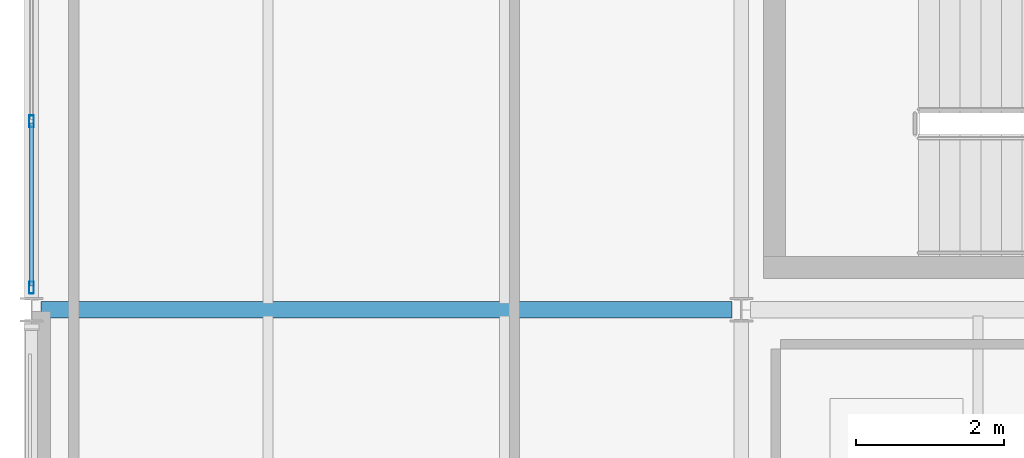
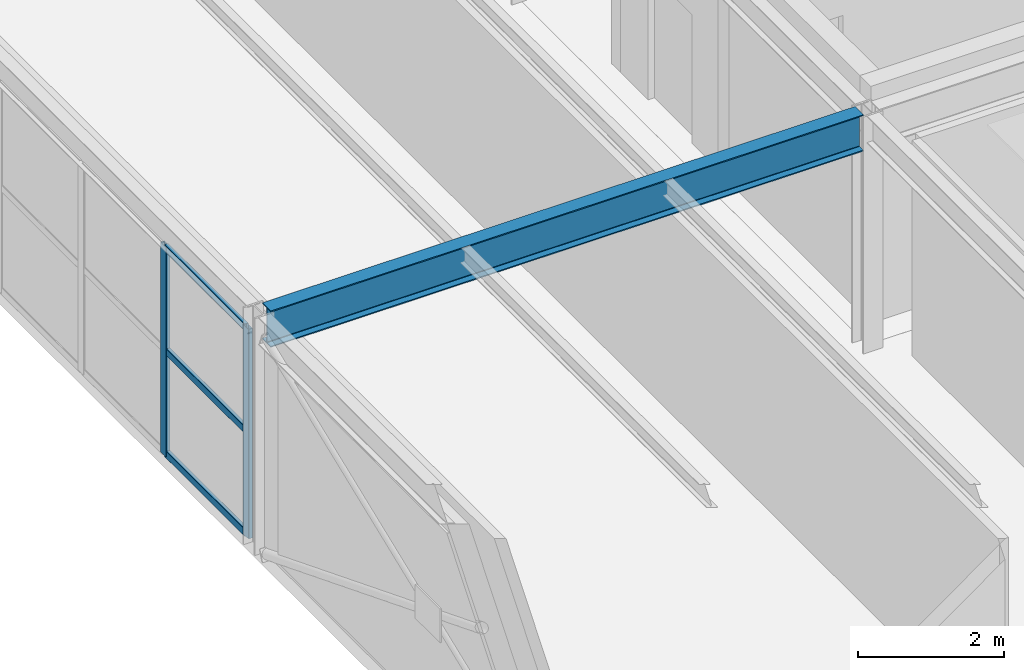
# One storey, part 14 of 50: 5 members, 1 beam, 1 element without a shape of its own.
"""IFC4 building model written with IfcOpenShell, lengths in metres."""

from ifc_helpers import new_model, si_unit, direction, frame, origin, origin_2d, place, context, subcontext, project, spatial, hollow_rectangle, i_section, extrude, material, material_profile, profile_set, type_object, element, aggregate, save


model = new_model("IFC4")

# Units and contexts
model_context = context("Model", 3, precision=1e-05, world=origin(), true_north=direction((0.0, 1.0)))
body_context = subcontext(model_context, "Body", "Model", "MODEL_VIEW")
ifc_project = project(units=[si_unit("LENGTHUNIT", "METRE"), si_unit("AREAUNIT", "SQUARE_METRE"), si_unit("VOLUMEUNIT", "CUBIC_METRE"), si_unit("PLANEANGLEUNIT", "RADIAN"), si_unit("MASSUNIT", "GRAM", prefix="KILO")], contexts=[model_context])

# Site, building, storey
site_placement = place(None, origin())
site = spatial("IfcSite", under=ifc_project, at=site_placement, CompositionType="ELEMENT")
building_placement = place(site_placement, origin())
building = spatial("IfcBuilding", under=site, at=building_placement, Name="Coralgate Yard Interchange", CompositionType="ELEMENT")
storey_placement = place(building_placement, frame((0.0, 0.0, 14.699951171875)))
storey = spatial("IfcBuildingStorey", under=building, at=storey_placement, Name="L03", CompositionType="ELEMENT", Elevation=14.699951171875)

# Beam
ifc_material_1 = material(Name="Structural steel S355J2", Category="steel")
ifc_material_profile_1 = material_profile(ifc_material_1, i_section(OverallWidth=0.228271484375, OverallDepth=0.607666015625, WebThickness=0.010986328125, FlangeThickness=0.017333984375, FilletRadius=0.0126953125, at=origin_2d()), Name="UB 610x229x113")
ifc_profile_set_1 = profile_set([ifc_material_profile_1], Name="Structural steel S355J2")
beam_type = type_object("IfcBeamType", Name="BM-SG-5", PredefinedType="BEAM", material=ifc_profile_set_1)
beam_placement = place(storey_placement, frame((0.12548828125, 28.800048828125, 3.646240234375), z_axis=(1.0, 0.0, 0.0), x_axis=(0.0, 1.0, 0.0)))
element("IfcBeam", 1, at=beam_placement, inside=storey, type_object=beam_type, Name="L03 primary grid beam Y3 X0-1", PredefinedType="BEAM", context=body_context, shape_type="SweptSolid", body=[
    extrude(i_section(OverallWidth=0.228271484375, OverallDepth=0.607666015625, WebThickness=0.010986328125, FlangeThickness=0.017333984375, FilletRadius=0.0126953125, at=origin_2d()), origin(), (0.0, 0.0, 1.0), 9.348876953125),
])

# Curtain wall, members
ifc_material_2 = material(Name="Anodised coastal aluminium and solar-control low-E glass", Category="aluminium")
curtain_wall_type = type_object("IfcCurtainWallType", Name="CW-CW-L03-A", PredefinedType="NOTDEFINED", material=ifc_material_2)
curtain_wall_placement = place(storey_placement, origin())
curtain_wall = element("IfcCurtainWall", 2, at=curtain_wall_placement, inside=storey, type_object=curtain_wall_type, Name="L03 unitised curtain wall CW-L03-W-00-03", PredefinedType="NOTDEFINED")
ifc_material_3 = material(Name="Anodised coastal aluminium 6063-T6", Category="aluminium")
ifc_material_profile_2 = material_profile(ifc_material_3, hollow_rectangle(XDim=0.06494140625, YDim=0.159912109375, WallThickness=0.00390625, InnerFilletRadius=0.00390625, OuterFilletRadius=0.008056640625, at=origin_2d()), Name="ALU 65x160x4")
ifc_profile_set_2 = profile_set([ifc_material_profile_2], Name="Anodised coastal aluminium 6063-T6")
member_type_1 = type_object("IfcMemberType", Name="MB-MUL-160", PredefinedType="MULLION", material=ifc_profile_set_2)
member_1_placement = place(storey_placement, frame((0.0, 29.10009765625, 0.0), z_axis=(0.0, 0.0, 1.0), x_axis=(1.0, 0.0, 0.0)))
member_1 = element("IfcMember", 3, at=member_1_placement, type_object=member_type_1, Name="CW-L03-W-00-03 vertical mullion 1", PredefinedType="MULLION", context=body_context, shape_type="SweptSolid", body=[
    extrude(hollow_rectangle(XDim=0.06494140625, YDim=0.159912109375, WallThickness=0.00390625, InnerFilletRadius=0.00390625, OuterFilletRadius=0.008056640625, at=origin_2d()), origin(), (0.0, 0.0, 1.0), 3.4931640625),
])
member_2_placement = place(storey_placement, frame((0.0, 31.35009765625, 0.0), z_axis=(0.0, 0.0, 1.0), x_axis=(1.0, 0.0, 0.0)))
member_2 = element("IfcMember", 4, at=member_2_placement, type_object=member_type_1, Name="CW-L03-W-00-03 vertical mullion 2", PredefinedType="MULLION", context=body_context, shape_type="SweptSolid", body=[
    extrude(hollow_rectangle(XDim=0.06494140625, YDim=0.159912109375, WallThickness=0.00390625, InnerFilletRadius=0.00390625, OuterFilletRadius=0.008056640625, at=origin_2d()), origin(), (0.0, 0.0, 1.0), 3.4931640625),
])
ifc_material_profile_3 = material_profile(ifc_material_3, hollow_rectangle(XDim=0.06005859375, YDim=0.1201171875, WallThickness=0.00341796875, InnerFilletRadius=0.00341796875, OuterFilletRadius=0.007080078125, at=origin_2d()), Name="ALU 60x120x3.5")
ifc_profile_set_3 = profile_set([ifc_material_profile_3], Name="Anodised coastal aluminium 6063-T6")
member_type_2 = type_object("IfcMemberType", Name="MB-TRN-120", PredefinedType="USERDEFINED", material=ifc_profile_set_3)
member_3_placement = place(storey_placement, frame((0.0, 29.1298828125, 0.03515625), z_axis=(0.0, 1.0, 0.0), x_axis=(-1.0, 0.0, 0.0)))
member_3 = element("IfcMember", 5, at=member_3_placement, type_object=member_type_2, Name="CW-L03-W-00-03 horizontal transom 1-1", ObjectType="TRANSOM", PredefinedType="USERDEFINED", context=body_context, shape_type="SweptSolid", body=[
    extrude(hollow_rectangle(XDim=0.06005859375, YDim=0.1201171875, WallThickness=0.00341796875, InnerFilletRadius=0.00341796875, OuterFilletRadius=0.007080078125, at=origin_2d()), origin(), (0.0, 0.0, 1.0), 2.190185546875),
])
member_4_placement = place(storey_placement, frame((0.0, 29.1298828125, 1.74658203125), z_axis=(0.0, 1.0, 0.0), x_axis=(-1.0, 0.0, 0.0)))
member_4 = element("IfcMember", 6, at=member_4_placement, type_object=member_type_2, Name="CW-L03-W-00-03 horizontal transom 1-2", ObjectType="TRANSOM", PredefinedType="USERDEFINED", context=body_context, shape_type="SweptSolid", body=[
    extrude(hollow_rectangle(XDim=0.06005859375, YDim=0.1201171875, WallThickness=0.00341796875, InnerFilletRadius=0.00341796875, OuterFilletRadius=0.007080078125, at=origin_2d()), origin(), (0.0, 0.0, 1.0), 2.190185546875),
])
member_5_placement = place(storey_placement, frame((0.0, 29.1298828125, 3.4580078125), z_axis=(0.0, 1.0, 0.0), x_axis=(-1.0, 0.0, 0.0)))
member_5 = element("IfcMember", 7, at=member_5_placement, type_object=member_type_2, Name="CW-L03-W-00-03 horizontal transom 1-3", ObjectType="TRANSOM", PredefinedType="USERDEFINED", context=body_context, shape_type="SweptSolid", body=[
    extrude(hollow_rectangle(XDim=0.06005859375, YDim=0.1201171875, WallThickness=0.00341796875, InnerFilletRadius=0.00341796875, OuterFilletRadius=0.007080078125, at=origin_2d()), origin(), (0.0, 0.0, 1.0), 2.190185546875),
])
aggregate(curtain_wall, [member_1, member_2, member_3, member_4, member_5])

save(model, "model.ifc")
